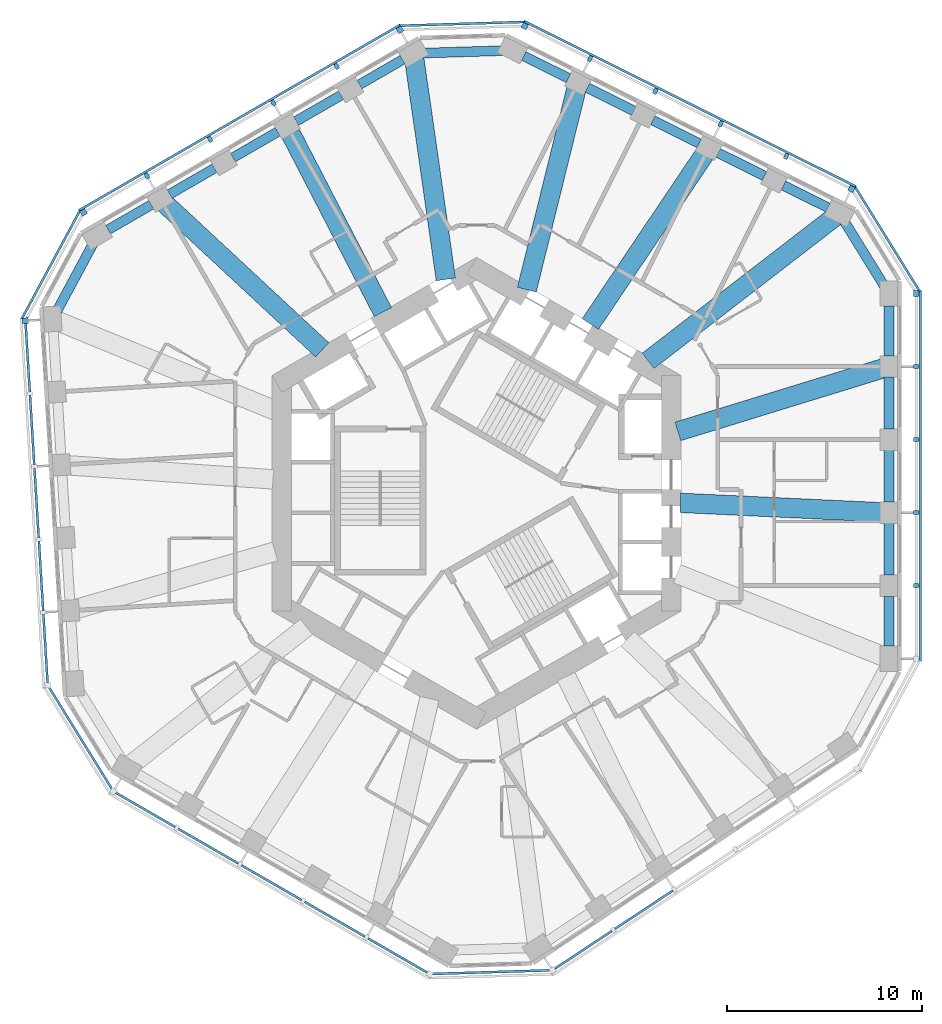
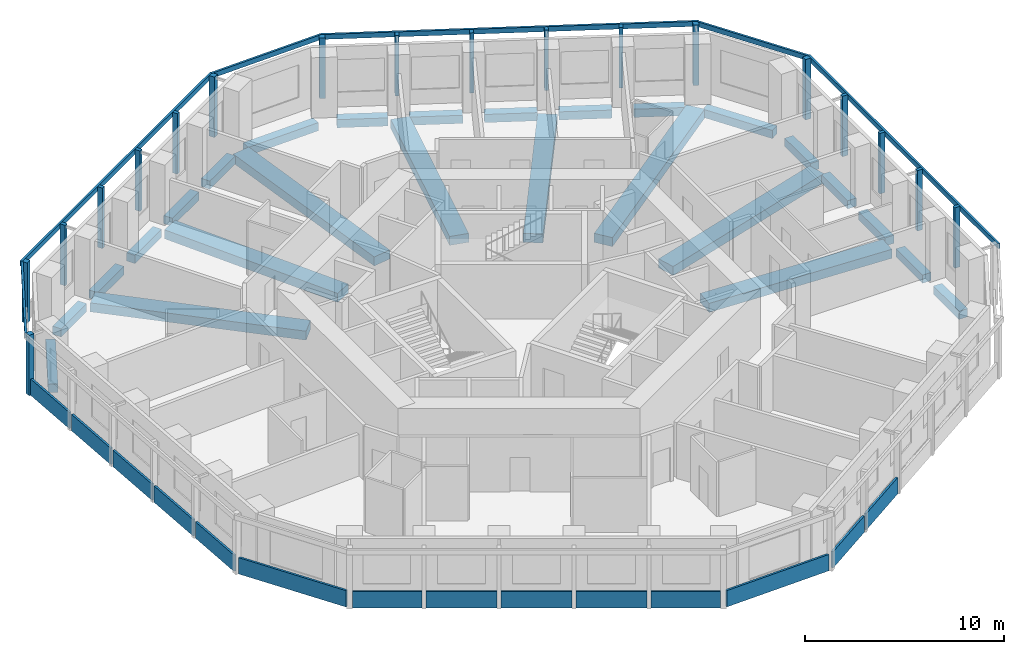
# One storey, part 2 of 11: 26 beams, 24 members, 14 plates, 11 elements without a shape of their own.
"""IFC4 building model written with IfcOpenShell, lengths in metres."""

from ifc_helpers import new_model, si_unit, direction, frame, origin, origin_2d, place, context, subcontext, project, spatial, rectangle, extrude, material, layer, layer_set, material_profile, profile_set, type_object, element, aggregate, save


model = new_model("IFC4")

# Units and contexts
model_context = context("Model", 3, precision=1e-05, world=origin(), true_north=direction((0.0, 1.0)))
body_context = subcontext(model_context, "Body", "Model", "MODEL_VIEW")
ifc_project = project(units=[si_unit("LENGTHUNIT", "METRE"), si_unit("AREAUNIT", "SQUARE_METRE"), si_unit("VOLUMEUNIT", "CUBIC_METRE"), si_unit("PLANEANGLEUNIT", "RADIAN"), si_unit("MASSUNIT", "GRAM", prefix="KILO")], contexts=[model_context])

# Site, building, storey
site_placement = place(None, origin())
site = spatial("IfcSite", under=ifc_project, at=site_placement, CompositionType="ELEMENT")
building_placement = place(site_placement, origin())
building = spatial("IfcBuilding", under=site, at=building_placement, Name="Vanh Sen Convention Tower", CompositionType="ELEMENT")
storey_placement = place(building_placement, frame((0.0, 0.0, 135.5)))
storey = spatial("IfcBuildingStorey", under=building, at=storey_placement, Name="L33", CompositionType="ELEMENT", Elevation=135.5)

# Curtain wall, member
ifc_material_1 = material(Name="Concrete C50/60", Category="concrete")
curtain_wall_type = type_object("IfcCurtainWallType", Name="Outer skin office zone", PredefinedType="NOTDEFINED", material=ifc_material_1)
curtain_wall_1_placement = place(storey_placement, origin())
curtain_wall_1 = element("IfcCurtainWall", 1, at=curtain_wall_1_placement, inside=storey, type_object=curtain_wall_type, Name="OUTER SKIN E L33", PredefinedType="NOTDEFINED")
ifc_material_profile_1 = material_profile(ifc_material_1, rectangle(XDim=0.300048828125, YDim=0.300048828125, at=origin_2d()), Name="Outer skin precast corner fin 300 x 300")
ifc_profile_set_1 = profile_set([ifc_material_profile_1], Name="Concrete C50/60")
member_type_1 = type_object("IfcMemberType", Name="Outer skin precast corner fin 300 x 300", PredefinedType="MULLION", material=ifc_profile_set_1)
member_1_placement = place(storey_placement, frame((22.60009765625, 10.26953125, 0.0), z_axis=(0.0, 0.0, 1.0), x_axis=(0.0, 1.0, 0.0)))
member_1 = element("IfcMember", 2, at=member_1_placement, type_object=member_type_1, Name="OUTER SKIN CORNER FIN 6 E L33", PredefinedType="MULLION", context=body_context, shape_type="SweptSolid", body=[
    extrude(rectangle(XDim=0.300048828125, YDim=0.300048828125, at=origin_2d()), origin(), (0.0, 0.0, 1.0), 3.699951171875),
])

# Curtain wall, members
curtain_wall_2_placement = place(storey_placement, origin())
curtain_wall_2 = element("IfcCurtainWall", 3, at=curtain_wall_2_placement, inside=storey, type_object=curtain_wall_type, Name="OUTER SKIN NE L33", PredefinedType="NOTDEFINED")
member_2_placement = place(storey_placement, frame((19.274658203125, 15.643310546875, 0.0), z_axis=(0.0, 0.0, 1.0), x_axis=(-0.894934361602, 0.44619781311, 0.0)))
member_2 = element("IfcMember", 4, at=member_2_placement, type_object=member_type_1, Name="OUTER SKIN CORNER FIN 1 NE L33", PredefinedType="MULLION", context=body_context, shape_type="SweptSolid", body=[
    extrude(rectangle(XDim=0.300048828125, YDim=0.300048828125, at=origin_2d()), origin(), (0.0, 0.0, 1.0), 3.699951171875),
])
member_3_placement = place(storey_placement, frame((2.476318359375, 24.0185546875, 0.0), z_axis=(0.0, 0.0, 1.0), x_axis=(-0.894934361602, 0.44619781311, 0.0)))
member_3 = element("IfcMember", 5, at=member_3_placement, type_object=member_type_1, Name="OUTER SKIN CORNER FIN 6 NE L33", PredefinedType="MULLION", context=body_context, shape_type="SweptSolid", body=[
    extrude(rectangle(XDim=0.300048828125, YDim=0.300048828125, at=origin_2d()), origin(), (0.0, 0.0, 1.0), 3.699951171875),
])

curtain_wall_3_placement = place(storey_placement, origin())
curtain_wall_3 = element("IfcCurtainWall", 6, at=curtain_wall_3_placement, inside=storey, type_object=curtain_wall_type, Name="OUTER SKIN NW L33", PredefinedType="NOTDEFINED")
member_4_placement = place(storey_placement, frame((-3.93798828125, 23.822509765625, 0.0), z_axis=(0.0, 0.0, 1.0), x_axis=(-0.866025403784, -0.5, 0.0)))
member_4 = element("IfcMember", 7, at=member_4_placement, type_object=member_type_1, Name="OUTER SKIN CORNER FIN 1 NW L33", PredefinedType="MULLION", context=body_context, shape_type="SweptSolid", body=[
    extrude(rectangle(XDim=0.300048828125, YDim=0.300048828125, at=origin_2d()), origin(), (0.0, 0.0, 1.0), 3.699951171875),
])
member_5_placement = place(storey_placement, frame((-20.193603515625, 14.4375, 0.0), z_axis=(0.0, 0.0, 1.0), x_axis=(-0.866025403784, -0.5, 0.0)))
member_5 = element("IfcMember", 8, at=member_5_placement, type_object=member_type_1, Name="OUTER SKIN CORNER FIN 6 NW L33", PredefinedType="MULLION", context=body_context, shape_type="SweptSolid", body=[
    extrude(rectangle(XDim=0.300048828125, YDim=0.300048828125, at=origin_2d()), origin(), (0.0, 0.0, 1.0), 3.699951171875),
])

# Curtain wall, member
curtain_wall_4_placement = place(storey_placement, origin())
curtain_wall_4 = element("IfcCurtainWall", 9, at=curtain_wall_4_placement, inside=storey, type_object=curtain_wall_type, Name="OUTER SKIN W L33", PredefinedType="NOTDEFINED")
member_6_placement = place(storey_placement, frame((-23.184814453125, 8.87060546875, 0.0), z_axis=(0.0, 0.0, 1.0), x_axis=(0.061048539535, -0.998134798422, 0.0)))
member_6 = element("IfcMember", 10, at=member_6_placement, type_object=member_type_1, Name="OUTER SKIN CORNER FIN 1 W L33", PredefinedType="MULLION", context=body_context, shape_type="SweptSolid", body=[
    extrude(rectangle(XDim=0.300048828125, YDim=0.300048828125, at=origin_2d()), origin(), (0.0, 0.0, 1.0), 3.699951171875),
])

# Member
ifc_material_profile_2 = material_profile(ifc_material_1, rectangle(XDim=0.199951171875, YDim=0.300048828125, at=origin_2d()), Name="Outer skin precast fin 200 x 300")
ifc_profile_set_2 = profile_set([ifc_material_profile_2], Name="Concrete C50/60")
member_type_2 = type_object("IfcMemberType", Name="Outer skin precast fin 200 x 300", PredefinedType="MULLION", material=ifc_profile_set_2)
member_7_placement = place(storey_placement, frame((22.60009765625, -4.746826171875, 0.0), z_axis=(0.0, 0.0, 1.0), x_axis=(0.0, 1.0, 0.0)))
member_7 = element("IfcMember", 11, at=member_7_placement, type_object=member_type_2, Name="OUTER SKIN fin 2 E L33", PredefinedType="MULLION", context=body_context, shape_type="SweptSolid", body=[
    extrude(rectangle(XDim=0.199951171875, YDim=0.300048828125, at=origin_2d()), origin(), (0.0, 0.0, 1.0), 3.699951171875),
])

member_8_placement = place(storey_placement, frame((22.60009765625, -0.992919921875, 0.0), z_axis=(0.0, 0.0, 1.0), x_axis=(0.0, 1.0, 0.0)))
member_8 = element("IfcMember", 12, at=member_8_placement, type_object=member_type_2, Name="OUTER SKIN fin 3 E L33", PredefinedType="MULLION", context=body_context, shape_type="SweptSolid", body=[
    extrude(rectangle(XDim=0.199951171875, YDim=0.300048828125, at=origin_2d()), origin(), (0.0, 0.0, 1.0), 3.699951171875),
])

member_9_placement = place(storey_placement, frame((22.60009765625, 2.76123046875, 0.0), z_axis=(0.0, 0.0, 1.0), x_axis=(0.0, 1.0, 0.0)))
member_9 = element("IfcMember", 13, at=member_9_placement, type_object=member_type_2, Name="OUTER SKIN fin 4 E L33", PredefinedType="MULLION", context=body_context, shape_type="SweptSolid", body=[
    extrude(rectangle(XDim=0.199951171875, YDim=0.300048828125, at=origin_2d()), origin(), (0.0, 0.0, 1.0), 3.699951171875),
])

member_10_placement = place(storey_placement, frame((22.60009765625, 6.515380859375, 0.0), z_axis=(0.0, 0.0, 1.0), x_axis=(0.0, 1.0, 0.0)))
member_10 = element("IfcMember", 14, at=member_10_placement, type_object=member_type_2, Name="OUTER SKIN fin 5 E L33", PredefinedType="MULLION", context=body_context, shape_type="SweptSolid", body=[
    extrude(rectangle(XDim=0.199951171875, YDim=0.300048828125, at=origin_2d()), origin(), (0.0, 0.0, 1.0), 3.699951171875),
])

member_11_placement = place(storey_placement, frame((15.9150390625, 17.318359375, 0.0), z_axis=(0.0, 0.0, 1.0), x_axis=(-0.894934361602, 0.44619781311, 0.0)))
member_11 = element("IfcMember", 15, at=member_11_placement, type_object=member_type_2, Name="OUTER SKIN fin 2 NE L33", PredefinedType="MULLION", context=body_context, shape_type="SweptSolid", body=[
    extrude(rectangle(XDim=0.199951171875, YDim=0.300048828125, at=origin_2d()), origin(), (0.0, 0.0, 1.0), 3.699951171875),
])

member_12_placement = place(storey_placement, frame((12.555419921875, 18.993408203125, 0.0), z_axis=(0.0, 0.0, 1.0), x_axis=(-0.894934361602, 0.44619781311, 0.0)))
member_12 = element("IfcMember", 16, at=member_12_placement, type_object=member_type_2, Name="OUTER SKIN fin 3 NE L33", PredefinedType="MULLION", context=body_context, shape_type="SweptSolid", body=[
    extrude(rectangle(XDim=0.199951171875, YDim=0.300048828125, at=origin_2d()), origin(), (0.0, 0.0, 1.0), 3.699951171875),
])

member_13_placement = place(storey_placement, frame((9.195556640625, 20.66845703125, 0.0), z_axis=(0.0, 0.0, 1.0), x_axis=(-0.894934361602, 0.44619781311, 0.0)))
member_13 = element("IfcMember", 17, at=member_13_placement, type_object=member_type_2, Name="OUTER SKIN fin 4 NE L33", PredefinedType="MULLION", context=body_context, shape_type="SweptSolid", body=[
    extrude(rectangle(XDim=0.199951171875, YDim=0.300048828125, at=origin_2d()), origin(), (0.0, 0.0, 1.0), 3.699951171875),
])

member_14_placement = place(storey_placement, frame((5.8359375, 22.343505859375, 0.0), z_axis=(0.0, 0.0, 1.0), x_axis=(-0.894934361602, 0.44619781311, 0.0)))
member_14 = element("IfcMember", 18, at=member_14_placement, type_object=member_type_2, Name="OUTER SKIN fin 5 NE L33", PredefinedType="MULLION", context=body_context, shape_type="SweptSolid", body=[
    extrude(rectangle(XDim=0.199951171875, YDim=0.300048828125, at=origin_2d()), origin(), (0.0, 0.0, 1.0), 3.699951171875),
])

member_15_placement = place(storey_placement, frame((-7.189208984375, 21.945556640625, 0.0), z_axis=(0.0, 0.0, 1.0), x_axis=(-0.866025403784, -0.5, 0.0)))
member_15 = element("IfcMember", 19, at=member_15_placement, type_object=member_type_2, Name="OUTER SKIN fin 2 NW L33", PredefinedType="MULLION", context=body_context, shape_type="SweptSolid", body=[
    extrude(rectangle(XDim=0.199951171875, YDim=0.300048828125, at=origin_2d()), origin(), (0.0, 0.0, 1.0), 3.699951171875),
])

member_16_placement = place(storey_placement, frame((-10.440185546875, 20.068603515625, 0.0), z_axis=(0.0, 0.0, 1.0), x_axis=(-0.866025403784, -0.5, 0.0)))
member_16 = element("IfcMember", 20, at=member_16_placement, type_object=member_type_2, Name="OUTER SKIN fin 3 NW L33", PredefinedType="MULLION", context=body_context, shape_type="SweptSolid", body=[
    extrude(rectangle(XDim=0.199951171875, YDim=0.300048828125, at=origin_2d()), origin(), (0.0, 0.0, 1.0), 3.699951171875),
])

member_17_placement = place(storey_placement, frame((-13.69140625, 18.19140625, 0.0), z_axis=(0.0, 0.0, 1.0), x_axis=(-0.866025403784, -0.5, 0.0)))
member_17 = element("IfcMember", 21, at=member_17_placement, type_object=member_type_2, Name="OUTER SKIN fin 4 NW L33", PredefinedType="MULLION", context=body_context, shape_type="SweptSolid", body=[
    extrude(rectangle(XDim=0.199951171875, YDim=0.300048828125, at=origin_2d()), origin(), (0.0, 0.0, 1.0), 3.699951171875),
])

member_18_placement = place(storey_placement, frame((-16.9423828125, 16.314453125, 0.0), z_axis=(0.0, 0.0, 1.0), x_axis=(-0.866025403784, -0.5, 0.0)))
member_18 = element("IfcMember", 22, at=member_18_placement, type_object=member_type_2, Name="OUTER SKIN fin 5 NW L33", PredefinedType="MULLION", context=body_context, shape_type="SweptSolid", body=[
    extrude(rectangle(XDim=0.199951171875, YDim=0.300048828125, at=origin_2d()), origin(), (0.0, 0.0, 1.0), 3.699951171875),
])

ifc_material_profile_3 = material_profile(ifc_material_1, rectangle(XDim=0.1201171875, YDim=0.300048828125, at=origin_2d()), Name="Outer skin precast spandrel band 300 x 120")
ifc_profile_set_3 = profile_set([ifc_material_profile_3], Name="Concrete C50/60")
member_type_3 = type_object("IfcMemberType", Name="Outer skin precast spandrel band 300 x 120", PredefinedType="USERDEFINED", material=ifc_profile_set_3)
member_19_placement = place(storey_placement, frame((22.81005859375, -8.65087890625, 3.550048828125), z_axis=(0.0, 1.0, 0.0), x_axis=(-1.0, 0.0, 0.0)))
member_19 = element("IfcMember", 23, at=member_19_placement, type_object=member_type_3, Name="OUTER SKIN spandrel band E L33", ObjectType="TRANSOM", PredefinedType="USERDEFINED", context=body_context, shape_type="SweptSolid", body=[
    extrude(rectangle(XDim=0.1201171875, YDim=0.300048828125, at=origin_2d()), origin(), (0.0, 0.0, 1.0), 19.0703125),
])

aggregate(curtain_wall_1, [member_7, member_8, member_9, member_10, member_1, member_19])

# Curtain wall, member
curtain_wall_5_placement = place(storey_placement, origin())
curtain_wall_5 = element("IfcCurtainWall", 24, at=curtain_wall_5_placement, inside=storey, type_object=curtain_wall_type, Name="OUTER SKIN CH1 L33", PredefinedType="NOTDEFINED")
member_20_placement = place(storey_placement, frame((22.778564453125, 10.3798828125, 3.550048828125), z_axis=(-0.526173726926, 0.850377098171, 0.0), x_axis=(-0.850377098171, -0.526173726926, 0.0)))
member_20 = element("IfcMember", 25, at=member_20_placement, type_object=member_type_3, Name="OUTER SKIN spandrel band CH1 L33", ObjectType="TRANSOM", PredefinedType="USERDEFINED", context=body_context, shape_type="SweptSolid", body=[
    extrude(rectangle(XDim=0.1201171875, YDim=0.300048828125, at=origin_2d()), origin(), (0.0, 0.0, 1.0), 6.319580078125),
])
aggregate(curtain_wall_5, [member_20])

# Member
member_21_placement = place(storey_placement, frame((19.502685546875, 15.764404296875, 3.550048828125), z_axis=(-0.894941234474, 0.446184027996, 0.0), x_axis=(-0.446184027996, -0.894941234474, 0.0)))
member_21 = element("IfcMember", 26, at=member_21_placement, type_object=member_type_3, Name="OUTER SKIN spandrel band NE L33", ObjectType="TRANSOM", PredefinedType="USERDEFINED", context=body_context, shape_type="SweptSolid", body=[
    extrude(rectangle(XDim=0.1201171875, YDim=0.300048828125, at=origin_2d()), origin(), (0.0, 0.0, 1.0), 19.07080078125),
])

aggregate(curtain_wall_2, [member_2, member_11, member_12, member_13, member_14, member_3, member_21])

# Curtain wall, member
curtain_wall_6_placement = place(storey_placement, origin())
curtain_wall_6 = element("IfcCurtainWall", 27, at=curtain_wall_6_placement, inside=storey, type_object=curtain_wall_type, Name="OUTER SKIN CH2 L33", PredefinedType="NOTDEFINED")
member_22_placement = place(storey_placement, frame((2.4697265625, 24.228515625, 3.550048828125), z_axis=(-0.999533221695, -0.030550592913, 0.0), x_axis=(0.030550592913, -0.999533221695, 0.0)))
member_22 = element("IfcMember", 28, at=member_22_placement, type_object=member_type_3, Name="OUTER SKIN spandrel band CH2 L33", ObjectType="TRANSOM", PredefinedType="USERDEFINED", context=body_context, shape_type="SweptSolid", body=[
    extrude(rectangle(XDim=0.1201171875, YDim=0.300048828125, at=origin_2d()), origin(), (0.0, 0.0, 1.0), 6.4169921875),
])
aggregate(curtain_wall_6, [member_22])

# Member
member_23_placement = place(storey_placement, frame((-3.9130859375, 24.07958984375, 3.550048828125), z_axis=(-0.866023136587, -0.500003926881, 0.0), x_axis=(0.500003926881, -0.866023136587, 0.0)))
member_23 = element("IfcMember", 29, at=member_23_placement, type_object=member_type_3, Name="OUTER SKIN spandrel band NW L33", ObjectType="TRANSOM", PredefinedType="USERDEFINED", context=body_context, shape_type="SweptSolid", body=[
    extrude(rectangle(XDim=0.1201171875, YDim=0.300048828125, at=origin_2d()), origin(), (0.0, 0.0, 1.0), 19.070556640625),
])

aggregate(curtain_wall_3, [member_4, member_15, member_16, member_17, member_18, member_5, member_23])

# Curtain wall, member
curtain_wall_7_placement = place(storey_placement, origin())
curtain_wall_7 = element("IfcCurtainWall", 30, at=curtain_wall_7_placement, inside=storey, type_object=curtain_wall_type, Name="OUTER SKIN CH3 L33", PredefinedType="NOTDEFINED")
member_24_placement = place(storey_placement, frame((-20.378662109375, 14.536865234375, 3.550048828125), z_axis=(-0.47333707755, -0.880881383057, 0.0), x_axis=(0.880881383057, -0.47333707755, 0.0)))
member_24 = element("IfcMember", 31, at=member_24_placement, type_object=member_type_3, Name="OUTER SKIN spandrel band CH3 L33", ObjectType="TRANSOM", PredefinedType="USERDEFINED", context=body_context, shape_type="SweptSolid", body=[
    extrude(rectangle(XDim=0.1201171875, YDim=0.300048828125, at=origin_2d()), origin(), (0.0, 0.0, 1.0), 6.3193359375),
])
aggregate(curtain_wall_7, [member_24])

# Beams
ifc_material_2 = material(Name="Concrete C50/60", Category="concrete")
ifc_material_profile_4 = material_profile(ifc_material_2, rectangle(XDim=1.0, YDim=0.550048828125, at=origin_2d()), Name="RC 1000X550")
ifc_profile_set_4 = profile_set([ifc_material_profile_4], Name="Concrete C50/60")
beam_type_1 = type_object("IfcBeamType", Name="Radial floor beam 1000 x 550", PredefinedType="BEAM", material=ifc_profile_set_4)
beam_1_placement = place(storey_placement, frame((20.7783203125, -0.97314453125, -0.554931640625), z_axis=(-0.998905248477, 0.046779317705, 0.0), x_axis=(-0.046779317705, -0.998905248477, 0.0)))
element("IfcBeam", 32, at=beam_1_placement, inside=storey, type_object=beam_type_1, Name="Radial beam 02 L33", PredefinedType="BEAM", context=body_context, shape_type="SweptSolid", body=[
    extrude(rectangle(XDim=1.0, YDim=0.550048828125, at=origin_2d()), origin(), (0.0, 0.0, 1.0), 10.31787109375),
])
beam_2_placement = place(storey_placement, frame((20.97021484375, 6.44482421875, -0.554931640625), z_axis=(-0.955876339667, -0.293769336835, 0.0), x_axis=(0.293769336835, -0.955876339667, 0.0)))
element("IfcBeam", 33, at=beam_2_placement, inside=storey, type_object=beam_type_1, Name="Radial beam 03 L33", PredefinedType="BEAM", context=body_context, shape_type="SweptSolid", body=[
    extrude(rectangle(XDim=1.0, YDim=0.550048828125, at=origin_2d()), origin(), (0.0, 0.0, 1.0), 11.112060546875),
])
beam_3_placement = place(storey_placement, frame((18.449951171875, 14.236083984375, -0.554931640625), z_axis=(-0.79170818872, -0.610899454832, 0.0), x_axis=(0.610899454832, -0.79170818872, 0.0)))
element("IfcBeam", 34, at=beam_3_placement, inside=storey, type_object=beam_type_1, Name="Radial beam 04 L33", PredefinedType="BEAM", context=body_context, shape_type="SweptSolid", body=[
    extrude(rectangle(XDim=1.0, YDim=0.550048828125, at=origin_2d()), origin(), (0.0, 0.0, 1.0), 12.161865234375),
])
beam_4_placement = place(storey_placement, frame((11.716552734375, 17.422119140625, -0.554931640625), z_axis=(-0.558062126182, -0.829799170475, 0.0), x_axis=(0.829799170475, -0.558062126182, 0.0)))
element("IfcBeam", 35, at=beam_4_placement, inside=storey, type_object=beam_type_1, Name="Radial beam 05 L33", PredefinedType="BEAM", context=body_context, shape_type="SweptSolid", body=[
    extrude(rectangle(XDim=1.0, YDim=0.550048828125, at=origin_2d()), origin(), (0.0, 0.0, 1.0), 10.510009765625),
])
beam_5_placement = place(storey_placement, frame((5.144287109375, 20.81982421875, -0.554931640625), z_axis=(-0.239868649212, -0.970805351821, 0.0), x_axis=(0.970805351821, -0.239868649212, 0.0)))
element("IfcBeam", 36, at=beam_5_placement, inside=storey, type_object=beam_type_1, Name="Radial beam 06 L33", PredefinedType="BEAM", context=body_context, shape_type="SweptSolid", body=[
    extrude(rectangle(XDim=1.0, YDim=0.550048828125, at=origin_2d()), origin(), (0.0, 0.0, 1.0), 10.66552734375),
])
beam_6_placement = place(storey_placement, frame((-3.1982421875, 22.333740234375, -0.554931640625), z_axis=(0.141740638319, -0.989903829394, 0.0), x_axis=(0.989903829394, 0.141740638319, 0.0)))
element("IfcBeam", 37, at=beam_6_placement, inside=storey, type_object=beam_type_1, Name="Radial beam 07 L33", PredefinedType="BEAM", context=body_context, shape_type="SweptSolid", body=[
    extrude(rectangle(XDim=1.0, YDim=0.550048828125, at=origin_2d()), origin(), (0.0, 0.0, 1.0), 11.454345703125),
])
beam_7_placement = place(storey_placement, frame((-9.54638671875, 18.481201171875, -0.554931640625), z_axis=(0.458939431593, -0.888467556036, 0.0), x_axis=(0.888467556036, 0.458939431593, 0.0)))
element("IfcBeam", 38, at=beam_7_placement, inside=storey, type_object=beam_type_1, Name="Radial beam 08 L33", PredefinedType="BEAM", context=body_context, shape_type="SweptSolid", body=[
    extrude(rectangle(XDim=1.0, YDim=0.550048828125, at=origin_2d()), origin(), (0.0, 0.0, 1.0), 10.318115234375),
])
beam_8_placement = place(storey_placement, frame((-16.06640625, 14.9384765625, -0.554931640625), z_axis=(0.732344952361, -0.680933822594, 0.0), x_axis=(0.680933822594, 0.732344952361, 0.0)))
element("IfcBeam", 39, at=beam_8_placement, inside=storey, type_object=beam_type_1, Name="Radial beam 09 L33", PredefinedType="BEAM", context=body_context, shape_type="SweptSolid", body=[
    extrude(rectangle(XDim=1.0, YDim=0.550048828125, at=origin_2d()), origin(), (0.0, 0.0, 1.0), 11.112060546875),
])
ifc_material_profile_5 = material_profile(ifc_material_2, rectangle(XDim=0.5, YDim=0.5, at=origin_2d()), Name="RC 500X500")
ifc_profile_set_5 = profile_set([ifc_material_profile_5], Name="Concrete C50/60")
beam_type_2 = type_object("IfcBeamType", Name="Spandrel beam 500 x 500", PredefinedType="SPANDREL", material=ifc_profile_set_5)
beam_9_placement = place(storey_placement, frame((21.199951171875, -7.85595703125, -0.530029296875), z_axis=(0.0, 1.0, 0.0), x_axis=(-1.0, 0.0, 0.0)))
element("IfcBeam", 40, at=beam_9_placement, inside=storey, type_object=beam_type_2, Name="Spandrel beam 01 L33", PredefinedType="SPANDREL", context=body_context, shape_type="SweptSolid", body=[
    extrude(rectangle(XDim=0.5, YDim=0.5, at=origin_2d()), origin(), (0.0, 0.0, 1.0), 2.56396484375),
])
for number, where, z_axis, x_axis, name in (
    (41, (21.199951171875, -4.201904296875, -0.530029296875), (0.0, 1.0, 0.0), (-1.0, 0.0, 0.0), "Spandrel beam 02 L33"),
    (42, (21.199951171875, -0.44775390625, -0.530029296875), (0.0, 1.0, 0.0), (-1.0, 0.0, 0.0), "Spandrel beam 03 L33"),
    (43, (21.199951171875, 3.306396484375, -0.530029296875), (0.0, 1.0, 0.0), (-1.0, 0.0, 0.0), "Spandrel beam 04 L33"),
):
    element("IfcBeam", number, at=place(storey_placement, frame(where, z_axis=z_axis, x_axis=x_axis)), inside=storey, type_object=beam_type_2, Name=name, PredefinedType="SPANDREL", context=body_context, shape_type="SweptSolid", body=[
        extrude(rectangle(XDim=0.5, YDim=0.5, at=origin_2d()), origin(), (0.0, 0.0, 1.0), 2.6640625),
    ])
beam_10_placement = place(storey_placement, frame((21.199951171875, 7.060302734375, -0.530029296875), z_axis=(0.0, 1.0, 0.0), x_axis=(-1.0, 0.0, 0.0)))
element("IfcBeam", 44, at=beam_10_placement, inside=storey, type_object=beam_type_2, Name="Spandrel beam 05 L33", PredefinedType="SPANDREL", context=body_context, shape_type="SweptSolid", body=[
    extrude(rectangle(XDim=0.5, YDim=0.5, at=origin_2d()), origin(), (0.0, 0.0, 1.0), 2.564208984375),
])
beam_11_placement = place(storey_placement, frame((20.965087890625, 10.64892578125, -0.530029296875), z_axis=(-0.526180283514, 0.850373041224, 0.0), x_axis=(-0.850373041224, -0.526180283514, 0.0)))
element("IfcBeam", 45, at=beam_11_placement, inside=storey, type_object=beam_type_2, Name="Spandrel beam 06 L33", PredefinedType="SPANDREL", context=body_context, shape_type="SweptSolid", body=[
    extrude(rectangle(XDim=0.5, YDim=0.5, at=origin_2d()), origin(), (0.0, 0.0, 1.0), 3.95361328125),
])
beam_12_placement = place(storey_placement, frame((18.07275390625, 14.67822265625, -0.530029296875), z_axis=(-0.894940769459, 0.446184960707, 0.0), x_axis=(-0.446184960707, -0.894940769459, 0.0)))
element("IfcBeam", 46, at=beam_12_placement, inside=storey, type_object=beam_type_2, Name="Spandrel beam 07 L33", PredefinedType="SPANDREL", context=body_context, shape_type="SweptSolid", body=[
    extrude(rectangle(XDim=0.5, YDim=0.5, at=origin_2d()), origin(), (0.0, 0.0, 1.0), 2.56396484375),
])
for number, where, z_axis, x_axis, name in (
    (47, (14.802490234375, 16.30859375, -0.530029296875), (-0.894939776695, 0.446186951948, 0.0), (-0.446186951948, -0.894939776695, 0.0), "Spandrel beam 08 L33"),
    (48, (11.44287109375, 17.983642578125, -0.530029296875), (-0.894939776695, 0.446186951948, 0.0), (-0.446186951948, -0.894939776695, 0.0), "Spandrel beam 09 L33"),
    (49, (8.083251953125, 19.65869140625, -0.530029296875), (-0.894939776695, 0.446186951948, 0.0), (-0.446186951948, -0.894939776695, 0.0), "Spandrel beam 10 L33"),
):
    element("IfcBeam", number, at=place(storey_placement, frame(where, z_axis=z_axis, x_axis=x_axis)), inside=storey, type_object=beam_type_2, Name=name, PredefinedType="SPANDREL", context=body_context, shape_type="SweptSolid", body=[
        extrude(rectangle(XDim=0.5, YDim=0.5, at=origin_2d()), origin(), (0.0, 0.0, 1.0), 2.6640625),
    ])
beam_13_placement = place(storey_placement, frame((4.723388671875, 21.333984375, -0.530029296875), z_axis=(-0.894978788678, 0.446108695069, 0.0), x_axis=(-0.446108695069, -0.894978788678, 0.0)))
element("IfcBeam", 50, at=beam_13_placement, inside=storey, type_object=beam_type_2, Name="Spandrel beam 11 L33", PredefinedType="SPANDREL", context=body_context, shape_type="SweptSolid", body=[
    extrude(rectangle(XDim=0.5, YDim=0.5, at=origin_2d()), origin(), (0.0, 0.0, 1.0), 2.56396484375),
])
beam_14_placement = place(storey_placement, frame((1.371337890625, 22.7509765625, -0.530029296875), z_axis=(-0.999534922792, -0.030494886783, 0.0), x_axis=(0.030494886783, -0.999534922792, 0.0)))
element("IfcBeam", 51, at=beam_14_placement, inside=storey, type_object=beam_type_2, Name="Spandrel beam 12 L33", PredefinedType="SPANDREL", context=body_context, shape_type="SweptSolid", body=[
    extrude(rectangle(XDim=0.5, YDim=0.5, at=origin_2d()), origin(), (0.0, 0.0, 1.0), 4.131103515625),
])
beam_15_placement = place(storey_placement, frame((-3.79638671875, 22.28759765625, -0.530029296875), z_axis=(-0.866049234614, -0.499958721521, 0.0), x_axis=(0.499958721521, -0.866049234614, 0.0)))
element("IfcBeam", 52, at=beam_15_placement, inside=storey, type_object=beam_type_2, Name="Spandrel beam 13 L33", PredefinedType="SPANDREL", context=body_context, shape_type="SweptSolid", body=[
    extrude(rectangle(XDim=0.5, YDim=0.5, at=origin_2d()), origin(), (0.0, 0.0, 1.0), 2.564208984375),
])
beam_16_placement = place(storey_placement, frame((-6.961181640625, 20.460693359375, -0.530029296875), z_axis=(-0.866023818221, -0.500002746266, 0.0), x_axis=(0.500002746266, -0.866023818221, 0.0)))
element("IfcBeam", 53, at=beam_16_placement, inside=storey, type_object=beam_type_2, Name="Spandrel beam 14 L33", PredefinedType="SPANDREL", context=body_context, shape_type="SweptSolid", body=[
    extrude(rectangle(XDim=0.5, YDim=0.5, at=origin_2d()), origin(), (0.0, 0.0, 1.0), 2.6640625),
])
beam_17_placement = place(storey_placement, frame((-10.212158203125, 18.58349609375, -0.530029296875), z_axis=(-0.866063499924, -0.499934009745, 0.0), x_axis=(0.499934009745, -0.866063499924, 0.0)))
element("IfcBeam", 54, at=beam_17_placement, inside=storey, type_object=beam_type_2, Name="Spandrel beam 15 L33", PredefinedType="SPANDREL", context=body_context, shape_type="SweptSolid", body=[
    extrude(rectangle(XDim=0.5, YDim=0.5, at=origin_2d()), origin(), (0.0, 0.0, 1.0), 2.663818359375),
])
beam_18_placement = place(storey_placement, frame((-13.46337890625, 16.70654296875, -0.530029296875), z_axis=(-0.866023818221, -0.500002746266, 0.0), x_axis=(0.500002746266, -0.866023818221, 0.0)))
element("IfcBeam", 55, at=beam_18_placement, inside=storey, type_object=beam_type_2, Name="Spandrel beam 16 L33", PredefinedType="SPANDREL", context=body_context, shape_type="SweptSolid", body=[
    extrude(rectangle(XDim=0.5, YDim=0.5, at=origin_2d()), origin(), (0.0, 0.0, 1.0), 2.6640625),
])
beam_19_placement = place(storey_placement, frame((-16.714599609375, 14.82958984375, -0.530029296875), z_axis=(-0.866025432576, -0.499999950132, 0.0), x_axis=(0.499999950132, -0.866025432576, 0.0)))
element("IfcBeam", 56, at=beam_19_placement, inside=storey, type_object=beam_type_2, Name="Spandrel beam 17 L33", PredefinedType="SPANDREL", context=body_context, shape_type="SweptSolid", body=[
    extrude(rectangle(XDim=0.5, YDim=0.5, at=origin_2d()), origin(), (0.0, 0.0, 1.0), 2.56396484375),
])
beam_20_placement = place(storey_placement, frame((-19.704833984375, 12.83203125, -0.530029296875), z_axis=(-0.473300582372, -0.880900992579, 0.0), x_axis=(0.880900992579, -0.473300582372, 0.0)))
element("IfcBeam", 57, at=beam_20_placement, inside=storey, type_object=beam_type_2, Name="Spandrel beam 18 L33", PredefinedType="SPANDREL", context=body_context, shape_type="SweptSolid", body=[
    extrude(rectangle(XDim=0.5, YDim=0.5, at=origin_2d()), origin(), (0.0, 0.0, 1.0), 3.953857421875),
])

# Plate
ifc_layer = layer(ifc_material_1, 0.1201171875)
ifc_layer_set = layer_set([ifc_layer], Name="Concrete C50/60")
plate_type = type_object("IfcPlateType", Name="Outer skin precast screen panel 120", PredefinedType="CURTAIN_PANEL", material=ifc_layer_set)
plate_1_placement = place(storey_placement, frame((-23.068603515625, 6.97216796875, 0.0), z_axis=(0.0, 0.0, 1.0), x_axis=(0.061053765756, -0.998134478759, 0.0)))
plate_1 = element("IfcPlate", 58, at=plate_1_placement, type_object=plate_type, Name="OUTER SKIN screen panel W-1", PredefinedType="CURTAIN_PANEL", context=body_context, shape_type="SweptSolid", body=[
    extrude(rectangle(XDim=3.504150390625, YDim=0.1201171875, at=origin_2d()), origin(), (0.0, 0.0, 1.0), 1.0),
])

plate_2_placement = place(storey_placement, frame((-22.841064453125, 3.25, 0.0), z_axis=(0.0, 0.0, 1.0), x_axis=(0.061052023682, -0.998134585316, 0.0)))
plate_2 = element("IfcPlate", 59, at=plate_2_placement, type_object=plate_type, Name="OUTER SKIN screen panel W-2", PredefinedType="CURTAIN_PANEL", context=body_context, shape_type="SweptSolid", body=[
    extrude(rectangle(XDim=3.55419921875, YDim=0.1201171875, at=origin_2d()), origin(), (0.0, 0.0, 1.0), 1.0),
])

plate_3_placement = place(storey_placement, frame((-22.61181640625, -0.4970703125, 0.0), z_axis=(0.0, 0.0, 1.0), x_axis=(0.061053765756, -0.998134478759, 0.0)))
plate_3 = element("IfcPlate", 60, at=plate_3_placement, type_object=plate_type, Name="OUTER SKIN screen panel W-3", PredefinedType="CURTAIN_PANEL", context=body_context, shape_type="SweptSolid", body=[
    extrude(rectangle(XDim=3.55419921875, YDim=0.1201171875, at=origin_2d()), origin(), (0.0, 0.0, 1.0), 1.0),
])

plate_4_placement = place(storey_placement, frame((-22.382568359375, -4.244140625, 0.0), z_axis=(0.0, 0.0, 1.0), x_axis=(0.061025892559, -0.998136183312, 0.0)))
plate_4 = element("IfcPlate", 61, at=plate_4_placement, type_object=plate_type, Name="OUTER SKIN screen panel W-4", PredefinedType="CURTAIN_PANEL", context=body_context, shape_type="SweptSolid", body=[
    extrude(rectangle(XDim=3.55419921875, YDim=0.1201171875, at=origin_2d()), origin(), (0.0, 0.0, 1.0), 1.0),
])

plate_5_placement = place(storey_placement, frame((-22.155029296875, -7.96630859375, 0.0), z_axis=(0.0, 0.0, 1.0), x_axis=(0.061053765756, -0.998134478759, 0.0)))
plate_5 = element("IfcPlate", 62, at=plate_5_placement, type_object=plate_type, Name="OUTER SKIN screen panel W-5", PredefinedType="CURTAIN_PANEL", context=body_context, shape_type="SweptSolid", body=[
    extrude(rectangle(XDim=3.504150390625, YDim=0.1201171875, at=origin_2d()), origin(), (0.0, 0.0, 1.0), 1.0),
])

aggregate(curtain_wall_4, [member_6, plate_1, plate_2, plate_3, plate_4, plate_5])

# Curtain wall, plate
curtain_wall_8_placement = place(storey_placement, origin())
curtain_wall_8 = element("IfcCurtainWall", 63, at=curtain_wall_8_placement, inside=storey, type_object=curtain_wall_type, Name="OUTER SKIN CH4 L33", PredefinedType="NOTDEFINED")
plate_6_placement = place(storey_placement, frame((-20.3505859375, -12.59326171875, 0.0), z_axis=(0.0, 0.0, 1.0), x_axis=(0.526218376078, -0.850349469734, 0.0)))
plate_6 = element("IfcPlate", 64, at=plate_6_placement, type_object=plate_type, Name="OUTER SKIN screen panel CH4-1", PredefinedType="CURTAIN_PANEL", context=body_context, shape_type="SweptSolid", body=[
    extrude(rectangle(XDim=6.1171875, YDim=0.1201171875, at=origin_2d()), origin(), (0.0, 0.0, 1.0), 1.0),
])
aggregate(curtain_wall_8, [plate_6])

# Curtain wall, plates
curtain_wall_9_placement = place(storey_placement, origin())
curtain_wall_9 = element("IfcCurtainWall", 65, at=curtain_wall_9_placement, inside=storey, type_object=curtain_wall_type, Name="OUTER SKIN SW L33", PredefinedType="NOTDEFINED")
plate_7_placement = place(storey_placement, frame((-17.014892578125, -16.272705078125, 0.0), z_axis=(0.0, 0.0, 1.0), x_axis=(0.86602365845, -0.500003022996, 0.0)))
plate_7 = element("IfcPlate", 66, at=plate_7_placement, type_object=plate_type, Name="OUTER SKIN screen panel SW-1", PredefinedType="CURTAIN_PANEL", context=body_context, shape_type="SweptSolid", body=[
    extrude(rectangle(XDim=3.504150390625, YDim=0.1201171875, at=origin_2d()), origin(), (0.0, 0.0, 1.0), 1.0),
])
plate_8_placement = place(storey_placement, frame((-13.785400390625, -18.13720703125, 0.0), z_axis=(0.0, 0.0, 1.0), x_axis=(0.866028021766, -0.499995465495, 0.0)))
plate_8 = element("IfcPlate", 67, at=plate_8_placement, type_object=plate_type, Name="OUTER SKIN screen panel SW-2", PredefinedType="CURTAIN_PANEL", context=body_context, shape_type="SweptSolid", body=[
    extrude(rectangle(XDim=3.553955078125, YDim=0.1201171875, at=origin_2d()), origin(), (0.0, 0.0, 1.0), 1.0),
])
plate_9_placement = place(storey_placement, frame((-10.5341796875, -20.014404296875, 0.0), z_axis=(0.0, 0.0, 1.0), x_axis=(0.86602365845, -0.500003022996, 0.0)))
plate_9 = element("IfcPlate", 68, at=plate_9_placement, type_object=plate_type, Name="OUTER SKIN screen panel SW-3", PredefinedType="CURTAIN_PANEL", context=body_context, shape_type="SweptSolid", body=[
    extrude(rectangle(XDim=3.55419921875, YDim=0.1201171875, at=origin_2d()), origin(), (0.0, 0.0, 1.0), 1.0),
])
plate_10_placement = place(storey_placement, frame((-7.283203125, -21.891357421875, 0.0), z_axis=(0.0, 0.0, 1.0), x_axis=(0.866016677006, -0.500015114919, 0.0)))
plate_10 = element("IfcPlate", 69, at=plate_10_placement, type_object=plate_type, Name="OUTER SKIN screen panel SW-4", PredefinedType="CURTAIN_PANEL", context=body_context, shape_type="SweptSolid", body=[
    extrude(rectangle(XDim=3.55419921875, YDim=0.1201171875, at=origin_2d()), origin(), (0.0, 0.0, 1.0), 1.0),
])
plate_11_placement = place(storey_placement, frame((-4.0537109375, -23.755859375, 0.0), z_axis=(0.0, 0.0, 1.0), x_axis=(0.866035002936, -0.499983373414, 0.0)))
plate_11 = element("IfcPlate", 70, at=plate_11_placement, type_object=plate_type, Name="OUTER SKIN screen panel SW-5", PredefinedType="CURTAIN_PANEL", context=body_context, shape_type="SweptSolid", body=[
    extrude(rectangle(XDim=3.504150390625, YDim=0.1201171875, at=origin_2d()), origin(), (0.0, 0.0, 1.0), 1.0),
])
aggregate(curtain_wall_9, [plate_7, plate_8, plate_9, plate_10, plate_11])

# Curtain wall, plate
curtain_wall_10_placement = place(storey_placement, origin())
curtain_wall_10 = element("IfcCurtainWall", 71, at=curtain_wall_10_placement, inside=storey, type_object=curtain_wall_type, Name="OUTER SKIN CH5 L33", PredefinedType="NOTDEFINED")
plate_12_placement = place(storey_placement, frame((0.751953125, -24.6103515625, 0.0), z_axis=(0.0, 0.0, 1.0), x_axis=(0.999533537535, 0.030540257725, 0.0)))
plate_12 = element("IfcPlate", 72, at=plate_12_placement, type_object=plate_type, Name="OUTER SKIN screen panel CH5-1", PredefinedType="CURTAIN_PANEL", context=body_context, shape_type="SweptSolid", body=[
    extrude(rectangle(XDim=6.019287109375, YDim=0.1201171875, at=origin_2d()), origin(), (0.0, 0.0, 1.0), 1.0),
])
aggregate(curtain_wall_10, [plate_12])

# Curtain wall, plates
curtain_wall_11_placement = place(storey_placement, origin())
curtain_wall_11 = element("IfcCurtainWall", 73, at=curtain_wall_11_placement, inside=storey, type_object=curtain_wall_type, Name="OUTER SKIN SE L33", PredefinedType="NOTDEFINED")
plate_13_placement = place(storey_placement, frame((5.49609375, -23.464111328125, 0.0), z_axis=(0.0, 0.0, 1.0), x_axis=(0.833889675294, 0.551931163677, 0.0)))
plate_13 = element("IfcPlate", 74, at=plate_13_placement, type_object=plate_type, Name="OUTER SKIN screen panel SE-1", PredefinedType="CURTAIN_PANEL", context=body_context, shape_type="SweptSolid", body=[
    extrude(rectangle(XDim=3.504150390625, YDim=0.1201171875, at=origin_2d()), origin(), (0.0, 0.0, 1.0), 1.0),
])
plate_14_placement = place(storey_placement, frame((8.60595703125, -21.406005859375, 0.0), z_axis=(0.0, 0.0, 1.0), x_axis=(0.833889675294, 0.551931163677, 0.0)))
plate_14 = element("IfcPlate", 75, at=plate_14_placement, type_object=plate_type, Name="OUTER SKIN screen panel SE-2", PredefinedType="CURTAIN_PANEL", context=body_context, shape_type="SweptSolid", body=[
    extrude(rectangle(XDim=3.55419921875, YDim=0.1201171875, at=origin_2d()), origin(), (0.0, 0.0, 1.0), 1.0),
])
aggregate(curtain_wall_11, [plate_13, plate_14])

save(model, "model.ifc")
